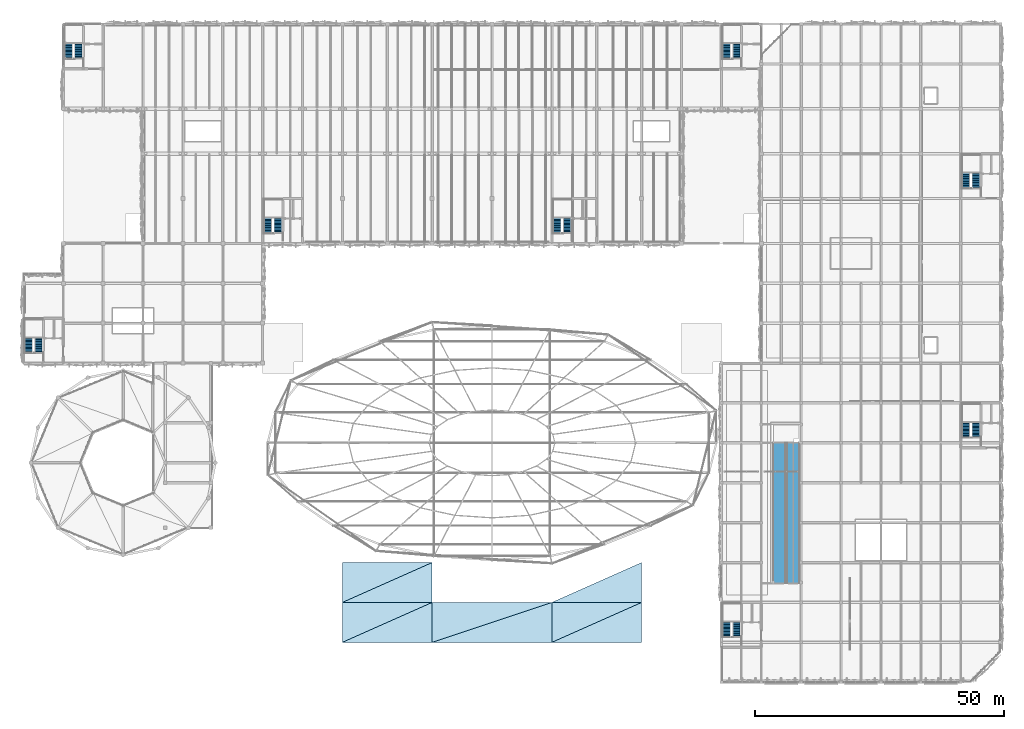
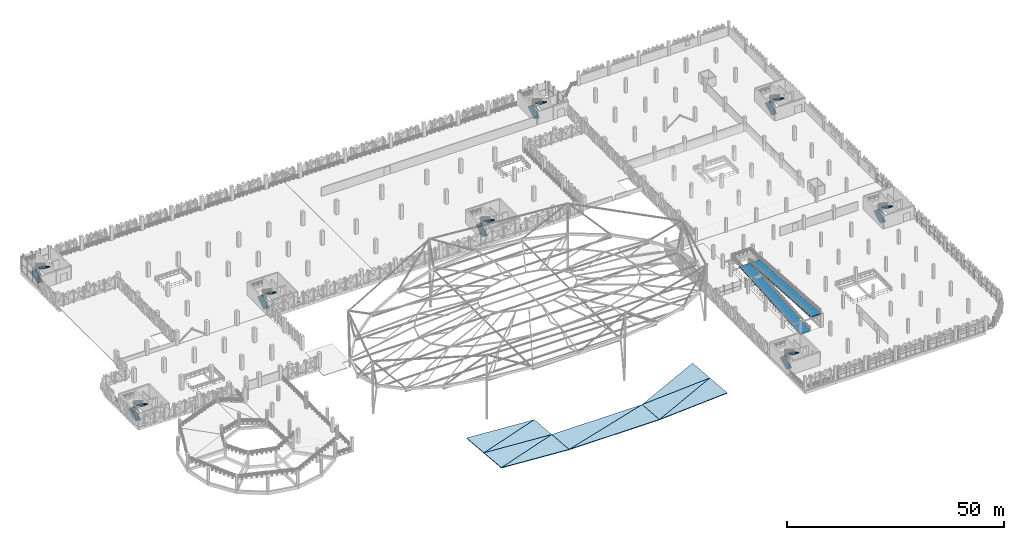
# One storey, part 57 of 96: 16 stair flights, 9 roofs, 2 ramp flights, 9 elements without a shape of their own.
"""IFC4 building model written with IfcOpenShell, lengths in metres."""

from ifc_helpers import new_model, si_unit, derived_unit, direction, frame, origin, place, context, subcontext, project, spatial, polyline, outline, extrude, polygons, material, layer, layer_set, type_object, element, aggregate, save


model = new_model("IFC4")

# Units and contexts
model_context = context("Model", 3, precision=1e-05, world=origin(), true_north=direction((0.0, 1.0)))
body_context = subcontext(model_context, "Body", "Model", "MODEL_VIEW")
ifc_project = project(units=[si_unit("LENGTHUNIT", "METRE"), si_unit("AREAUNIT", "SQUARE_METRE"), si_unit("VOLUMEUNIT", "CUBIC_METRE"), si_unit("PLANEANGLEUNIT", "RADIAN"), si_unit("MASSUNIT", "GRAM", prefix="KILO"), si_unit("THERMODYNAMICTEMPERATUREUNIT", "KELVIN"), derived_unit("THERMALTRANSMITTANCEUNIT", [(si_unit("POWERUNIT", "WATT"), 1), (si_unit("AREAUNIT", "SQUARE_METRE"), -1), (si_unit("THERMODYNAMICTEMPERATUREUNIT", "KELVIN"), -1)])], contexts=[model_context])

# Site, building, storey
site_placement = place(None, origin())
site = spatial("IfcSite", under=ifc_project, at=site_placement, CompositionType="ELEMENT")
building_placement = place(site_placement, origin())
building = spatial("IfcBuilding", under=site, at=building_placement, Name="Haiyu Intermodal Mobility Hub", CompositionType="ELEMENT")
storey_placement = place(building_placement, frame((0.0, 0.0, 9.5)))
storey = spatial("IfcBuildingStorey", under=building, at=storey_placement, Name="L02", CompositionType="ELEMENT", Elevation=9.5)

# Stair, stair flights
ifc_material_1 = material(Name="Concrete C40", Category="concrete")
stair_type_1 = type_object("IfcStairType", Name="STR-ST02", PredefinedType="HALF_TURN_STAIR", material=ifc_material_1)
stair_1_placement = place(storey_placement, origin())
stair_1 = element("IfcStair", 1, at=stair_1_placement, inside=storey, type_object=stair_type_1, Name="Exit Stair ST01 L02", PredefinedType="HALF_TURN_STAIR")
stair_flight_type_1 = type_object("IfcStairFlightType", Name="SFL-ST02", PredefinedType="STRAIGHT", material=ifc_material_1)
stair_flight_1_placement = place(storey_placement, frame((63.090087890625, 106.050048828125, 0.0), z_axis=(0.0, 0.0, 1.0), x_axis=(0.0, 1.0, 0.0)))
stair_flight_1 = element("IfcStairFlight", 2, at=stair_flight_1_placement, type_object=stair_flight_type_1, Name="Stair Flight STR-C5-L02-F1", NumberOfRisers=12, NumberOfTreads=11, PredefinedType="STRAIGHT", RiserHeight=0.1625, TreadLength=0.28, context=body_context, shape_type="SweptSolid", body=[
    extrude(outline(polyline([(0.0, 0.0), (0.0, 0.16259765625), (0.280029296875, 0.16259765625), (0.280029296875, 0.324951171875), (0.56005859375, 0.324951171875), (0.56005859375, 0.487548828125), (0.840087890625, 0.487548828125), (0.840087890625, 0.64990234375), (1.1201171875, 0.64990234375), (1.1201171875, 0.8125), (1.39990234375, 0.8125), (1.39990234375, 0.97509765625), (1.679931640625, 0.97509765625), (1.679931640625, 1.137451171875), (1.9599609375, 1.137451171875), (1.9599609375, 1.300048828125), (2.239990234375, 1.300048828125), (2.239990234375, 1.46240234375), (2.52001953125, 1.46240234375), (2.52001953125, 1.625), (2.800048828125, 1.625), (2.800048828125, 1.78759765625), (3.080078125, 1.78759765625), (3.080078125, 1.949951171875), (3.080078125, 1.579345703125), (0.3583984375, 0.0), (0.0, 0.0)])), frame((0.0, 0.72998046875, 0.0), z_axis=(0.0, -1.0, 0.0), x_axis=(1.0, 0.0, 0.0)), (0.0, 0.0, 1.0), 1.4599609375),
])
stair_flight_2_placement = place(storey_placement, frame((65.0, 109.159912109375, 1.949951171875), z_axis=(0.0, 0.0, 1.0), x_axis=(0.0, -1.0, 0.0)))
stair_flight_2 = element("IfcStairFlight", 3, at=stair_flight_2_placement, type_object=stair_flight_type_1, Name="Stair Flight STR-C5-L02-F2", NumberOfRisers=12, NumberOfTreads=11, PredefinedType="STRAIGHT", RiserHeight=0.1625, TreadLength=0.28091, context=body_context, shape_type="SweptSolid", body=[
    extrude(outline(polyline([(0.0, 0.0), (0.0, 0.16259765625), (0.281005859375, 0.16259765625), (0.281005859375, 0.324951171875), (0.561767578125, 0.324951171875), (0.561767578125, 0.487548828125), (0.8427734375, 0.487548828125), (0.8427734375, 0.64990234375), (1.12353515625, 0.64990234375), (1.12353515625, 0.8125), (1.404541015625, 0.8125), (1.404541015625, 0.97509765625), (1.685546875, 0.97509765625), (1.685546875, 1.137451171875), (1.96630859375, 1.137451171875), (1.96630859375, 1.300048828125), (2.247314453125, 1.300048828125), (2.247314453125, 1.46240234375), (2.528076171875, 1.46240234375), (2.528076171875, 1.625), (2.80908203125, 1.625), (2.80908203125, 1.78759765625), (3.090087890625, 1.78759765625), (3.090087890625, 1.949951171875), (3.090087890625, 1.57958984375), (0.359375, 0.0), (0.0, 0.0)])), frame((0.0, 0.72998046875, 0.0), z_axis=(0.0, -1.0, 0.0), x_axis=(1.0, 0.0, 0.0)), (0.0, 0.0, 1.0), 1.4599609375),
])
aggregate(stair_1, [stair_flight_1, stair_flight_2])

stair_2_placement = place(storey_placement, origin())
stair_2 = element("IfcStair", 4, at=stair_2_placement, inside=storey, type_object=stair_type_1, Name="Exit Stair ST01 L02", PredefinedType="HALF_TURN_STAIR")
stair_flight_3_placement = place(storey_placement, frame((121.090087890625, 106.050048828125, 0.0), z_axis=(0.0, 0.0, 1.0), x_axis=(0.0, 1.0, 0.0)))
stair_flight_3 = element("IfcStairFlight", 5, at=stair_flight_3_placement, type_object=stair_flight_type_1, Name="Stair Flight STR-C6-L02-F1", NumberOfRisers=12, NumberOfTreads=11, PredefinedType="STRAIGHT", RiserHeight=0.1625, TreadLength=0.28, context=body_context, shape_type="SweptSolid", body=[
    extrude(outline(polyline([(0.0, 0.0), (0.0, 0.16259765625), (0.280029296875, 0.16259765625), (0.280029296875, 0.324951171875), (0.56005859375, 0.324951171875), (0.56005859375, 0.487548828125), (0.840087890625, 0.487548828125), (0.840087890625, 0.64990234375), (1.1201171875, 0.64990234375), (1.1201171875, 0.8125), (1.39990234375, 0.8125), (1.39990234375, 0.97509765625), (1.679931640625, 0.97509765625), (1.679931640625, 1.137451171875), (1.9599609375, 1.137451171875), (1.9599609375, 1.300048828125), (2.239990234375, 1.300048828125), (2.239990234375, 1.46240234375), (2.52001953125, 1.46240234375), (2.52001953125, 1.625), (2.800048828125, 1.625), (2.800048828125, 1.78759765625), (3.080078125, 1.78759765625), (3.080078125, 1.949951171875), (3.080078125, 1.579345703125), (0.3583984375, 0.0), (0.0, 0.0)])), frame((0.0, 0.72998046875, 0.0), z_axis=(0.0, -1.0, 0.0), x_axis=(1.0, 0.0, 0.0)), (0.0, 0.0, 1.0), 1.4599609375),
])
stair_flight_4_placement = place(storey_placement, frame((123.0, 109.159912109375, 1.949951171875), z_axis=(0.0, 0.0, 1.0), x_axis=(0.0, -1.0, 0.0)))
stair_flight_4 = element("IfcStairFlight", 6, at=stair_flight_4_placement, type_object=stair_flight_type_1, Name="Stair Flight STR-C6-L02-F2", NumberOfRisers=12, NumberOfTreads=11, PredefinedType="STRAIGHT", RiserHeight=0.1625, TreadLength=0.28091, context=body_context, shape_type="SweptSolid", body=[
    extrude(outline(polyline([(0.0, 0.0), (0.0, 0.16259765625), (0.281005859375, 0.16259765625), (0.281005859375, 0.324951171875), (0.561767578125, 0.324951171875), (0.561767578125, 0.487548828125), (0.8427734375, 0.487548828125), (0.8427734375, 0.64990234375), (1.12353515625, 0.64990234375), (1.12353515625, 0.8125), (1.404541015625, 0.8125), (1.404541015625, 0.97509765625), (1.685546875, 0.97509765625), (1.685546875, 1.137451171875), (1.96630859375, 1.137451171875), (1.96630859375, 1.300048828125), (2.247314453125, 1.300048828125), (2.247314453125, 1.46240234375), (2.528076171875, 1.46240234375), (2.528076171875, 1.625), (2.80908203125, 1.625), (2.80908203125, 1.78759765625), (3.090087890625, 1.78759765625), (3.090087890625, 1.949951171875), (3.090087890625, 1.57958984375), (0.359375, 0.0), (0.0, 0.0)])), frame((0.0, 0.72998046875, 0.0), z_axis=(0.0, -1.0, 0.0), x_axis=(1.0, 0.0, 0.0)), (0.0, 0.0, 1.0), 1.4599609375),
])
aggregate(stair_2, [stair_flight_3, stair_flight_4])

stair_3_placement = place(storey_placement, origin())
stair_3 = element("IfcStair", 7, at=stair_3_placement, inside=storey, type_object=stair_type_1, Name="Exit Stair ST03 L02", PredefinedType="HALF_TURN_STAIR")
stair_flight_5_placement = place(storey_placement, frame((203.090087890625, 115.050048828125, 0.0), z_axis=(0.0, 0.0, 1.0), x_axis=(0.0, 1.0, 0.0)))
stair_flight_5 = element("IfcStairFlight", 8, at=stair_flight_5_placement, type_object=stair_flight_type_1, Name="Stair Flight STR-C10-L02-F1", NumberOfRisers=12, NumberOfTreads=11, PredefinedType="STRAIGHT", RiserHeight=0.1625, TreadLength=0.28, context=body_context, shape_type="SweptSolid", body=[
    extrude(outline(polyline([(0.0, 0.0), (0.0, 0.16259765625), (0.280029296875, 0.16259765625), (0.280029296875, 0.324951171875), (0.56005859375, 0.324951171875), (0.56005859375, 0.487548828125), (0.840087890625, 0.487548828125), (0.840087890625, 0.64990234375), (1.1201171875, 0.64990234375), (1.1201171875, 0.8125), (1.39990234375, 0.8125), (1.39990234375, 0.97509765625), (1.679931640625, 0.97509765625), (1.679931640625, 1.137451171875), (1.9599609375, 1.137451171875), (1.9599609375, 1.300048828125), (2.239990234375, 1.300048828125), (2.239990234375, 1.46240234375), (2.52001953125, 1.46240234375), (2.52001953125, 1.625), (2.800048828125, 1.625), (2.800048828125, 1.78759765625), (3.080078125, 1.78759765625), (3.080078125, 1.949951171875), (3.080078125, 1.579345703125), (0.3583984375, 0.0), (0.0, 0.0)])), frame((0.0, 0.72998046875, 0.0), z_axis=(0.0, -1.0, 0.0), x_axis=(1.0, 0.0, 0.0)), (0.0, 0.0, 1.0), 1.4599609375),
])
stair_flight_6_placement = place(storey_placement, frame((205.0, 118.159912109375, 1.949951171875), z_axis=(0.0, 0.0, 1.0), x_axis=(0.0, -1.0, 0.0)))
stair_flight_6 = element("IfcStairFlight", 9, at=stair_flight_6_placement, type_object=stair_flight_type_1, Name="Stair Flight STR-C10-L02-F2", NumberOfRisers=12, NumberOfTreads=11, PredefinedType="STRAIGHT", RiserHeight=0.1625, TreadLength=0.28091, context=body_context, shape_type="SweptSolid", body=[
    extrude(outline(polyline([(0.0, 0.0), (0.0, 0.16259765625), (0.281005859375, 0.16259765625), (0.281005859375, 0.324951171875), (0.561767578125, 0.324951171875), (0.561767578125, 0.487548828125), (0.8427734375, 0.487548828125), (0.8427734375, 0.64990234375), (1.12353515625, 0.64990234375), (1.12353515625, 0.8125), (1.404541015625, 0.8125), (1.404541015625, 0.97509765625), (1.685546875, 0.97509765625), (1.685546875, 1.137451171875), (1.96630859375, 1.137451171875), (1.96630859375, 1.300048828125), (2.247314453125, 1.300048828125), (2.247314453125, 1.46240234375), (2.528076171875, 1.46240234375), (2.528076171875, 1.625), (2.80908203125, 1.625), (2.80908203125, 1.78759765625), (3.090087890625, 1.78759765625), (3.090087890625, 1.949951171875), (3.090087890625, 1.57958984375), (0.359375, 0.0), (0.0, 0.0)])), frame((0.0, 0.72998046875, 0.0), z_axis=(0.0, -1.0, 0.0), x_axis=(1.0, 0.0, 0.0)), (0.0, 0.0, 1.0), 1.4599609375),
])
aggregate(stair_3, [stair_flight_5, stair_flight_6])

stair_type_2 = type_object("IfcStairType", Name="STR-ST03", PredefinedType="HALF_TURN_STAIR", material=ifc_material_1)
stair_4_placement = place(storey_placement, origin())
stair_4 = element("IfcStair", 10, at=stair_4_placement, inside=storey, type_object=stair_type_2, Name="Exit Stair ST02 L02", PredefinedType="HALF_TURN_STAIR")
stair_flight_type_2 = type_object("IfcStairFlightType", Name="SFL-ST03", PredefinedType="STRAIGHT", material=ifc_material_1)
stair_flight_7_placement = place(storey_placement, frame((23.090087890625, 141.050048828125, 0.0), z_axis=(0.0, 0.0, 1.0), x_axis=(0.0, 1.0, 0.0)))
stair_flight_7 = element("IfcStairFlight", 11, at=stair_flight_7_placement, type_object=stair_flight_type_2, Name="Stair Flight STR-C3-L02-F1", NumberOfRisers=12, NumberOfTreads=11, PredefinedType="STRAIGHT", RiserHeight=0.1625, TreadLength=0.28, context=body_context, shape_type="SweptSolid", body=[
    extrude(outline(polyline([(0.0, 0.0), (0.0, 0.16259765625), (0.280029296875, 0.16259765625), (0.280029296875, 0.324951171875), (0.56005859375, 0.324951171875), (0.56005859375, 0.487548828125), (0.840087890625, 0.487548828125), (0.840087890625, 0.64990234375), (1.1201171875, 0.64990234375), (1.1201171875, 0.8125), (1.39990234375, 0.8125), (1.39990234375, 0.97509765625), (1.679931640625, 0.97509765625), (1.679931640625, 1.137451171875), (1.9599609375, 1.137451171875), (1.9599609375, 1.300048828125), (2.239990234375, 1.300048828125), (2.239990234375, 1.46240234375), (2.52001953125, 1.46240234375), (2.52001953125, 1.625), (2.800048828125, 1.625), (2.800048828125, 1.78759765625), (3.080078125, 1.78759765625), (3.080078125, 1.949951171875), (3.080078125, 1.579345703125), (0.3583984375, 0.0), (0.0, 0.0)])), frame((0.0, 0.72998046875, 0.0), z_axis=(0.0, -1.0, 0.0), x_axis=(1.0, 0.0, 0.0)), (0.0, 0.0, 1.0), 1.4599609375),
])
stair_flight_8_placement = place(storey_placement, frame((25.0, 144.159912109375, 1.949951171875), z_axis=(0.0, 0.0, 1.0), x_axis=(0.0, -1.0, 0.0)))
stair_flight_8 = element("IfcStairFlight", 12, at=stair_flight_8_placement, type_object=stair_flight_type_2, Name="Stair Flight STR-C3-L02-F2", NumberOfRisers=12, NumberOfTreads=11, PredefinedType="STRAIGHT", RiserHeight=0.1625, TreadLength=0.28091, context=body_context, shape_type="SweptSolid", body=[
    extrude(outline(polyline([(0.0, 0.0), (0.0, 0.16259765625), (0.281005859375, 0.16259765625), (0.281005859375, 0.324951171875), (0.561767578125, 0.324951171875), (0.561767578125, 0.487548828125), (0.8427734375, 0.487548828125), (0.8427734375, 0.64990234375), (1.12353515625, 0.64990234375), (1.12353515625, 0.8125), (1.404541015625, 0.8125), (1.404541015625, 0.97509765625), (1.685546875, 0.97509765625), (1.685546875, 1.137451171875), (1.96630859375, 1.137451171875), (1.96630859375, 1.300048828125), (2.247314453125, 1.300048828125), (2.247314453125, 1.46240234375), (2.528076171875, 1.46240234375), (2.528076171875, 1.625), (2.80908203125, 1.625), (2.80908203125, 1.78759765625), (3.090087890625, 1.78759765625), (3.090087890625, 1.949951171875), (3.090087890625, 1.57958984375), (0.359375, 0.0), (0.0, 0.0)])), frame((0.0, 0.72998046875, 0.0), z_axis=(0.0, -1.0, 0.0), x_axis=(1.0, 0.0, 0.0)), (0.0, 0.0, 1.0), 1.4599609375),
])
aggregate(stair_4, [stair_flight_7, stair_flight_8])

stair_5_placement = place(storey_placement, origin())
stair_5 = element("IfcStair", 13, at=stair_5_placement, inside=storey, type_object=stair_type_2, Name="Exit Stair ST02 L02", PredefinedType="HALF_TURN_STAIR")
stair_flight_9_placement = place(storey_placement, frame((155.090087890625, 141.050048828125, 0.0), z_axis=(0.0, 0.0, 1.0), x_axis=(0.0, 1.0, 0.0)))
stair_flight_9 = element("IfcStairFlight", 14, at=stair_flight_9_placement, type_object=stair_flight_type_2, Name="Stair Flight STR-C4-L02-F1", NumberOfRisers=12, NumberOfTreads=11, PredefinedType="STRAIGHT", RiserHeight=0.1625, TreadLength=0.28, context=body_context, shape_type="SweptSolid", body=[
    extrude(outline(polyline([(0.0, 0.0), (0.0, 0.16259765625), (0.280029296875, 0.16259765625), (0.280029296875, 0.324951171875), (0.56005859375, 0.324951171875), (0.56005859375, 0.487548828125), (0.840087890625, 0.487548828125), (0.840087890625, 0.64990234375), (1.1201171875, 0.64990234375), (1.1201171875, 0.8125), (1.39990234375, 0.8125), (1.39990234375, 0.97509765625), (1.679931640625, 0.97509765625), (1.679931640625, 1.137451171875), (1.9599609375, 1.137451171875), (1.9599609375, 1.300048828125), (2.239990234375, 1.300048828125), (2.239990234375, 1.46240234375), (2.52001953125, 1.46240234375), (2.52001953125, 1.625), (2.800048828125, 1.625), (2.800048828125, 1.78759765625), (3.080078125, 1.78759765625), (3.080078125, 1.949951171875), (3.080078125, 1.579345703125), (0.3583984375, 0.0), (0.0, 0.0)])), frame((0.0, 0.72998046875, 0.0), z_axis=(0.0, -1.0, 0.0), x_axis=(1.0, 0.0, 0.0)), (0.0, 0.0, 1.0), 1.4599609375),
])
stair_flight_10_placement = place(storey_placement, frame((157.0, 144.159912109375, 1.949951171875), z_axis=(0.0, 0.0, 1.0), x_axis=(0.0, -1.0, 0.0)))
stair_flight_10 = element("IfcStairFlight", 15, at=stair_flight_10_placement, type_object=stair_flight_type_2, Name="Stair Flight STR-C4-L02-F2", NumberOfRisers=12, NumberOfTreads=11, PredefinedType="STRAIGHT", RiserHeight=0.1625, TreadLength=0.28091, context=body_context, shape_type="SweptSolid", body=[
    extrude(outline(polyline([(0.0, 0.0), (0.0, 0.16259765625), (0.281005859375, 0.16259765625), (0.281005859375, 0.324951171875), (0.561767578125, 0.324951171875), (0.561767578125, 0.487548828125), (0.8427734375, 0.487548828125), (0.8427734375, 0.64990234375), (1.12353515625, 0.64990234375), (1.12353515625, 0.8125), (1.404541015625, 0.8125), (1.404541015625, 0.97509765625), (1.685546875, 0.97509765625), (1.685546875, 1.137451171875), (1.96630859375, 1.137451171875), (1.96630859375, 1.300048828125), (2.247314453125, 1.300048828125), (2.247314453125, 1.46240234375), (2.528076171875, 1.46240234375), (2.528076171875, 1.625), (2.80908203125, 1.625), (2.80908203125, 1.78759765625), (3.090087890625, 1.78759765625), (3.090087890625, 1.949951171875), (3.090087890625, 1.57958984375), (0.359375, 0.0), (0.0, 0.0)])), frame((0.0, 0.72998046875, 0.0), z_axis=(0.0, -1.0, 0.0), x_axis=(1.0, 0.0, 0.0)), (0.0, 0.0, 1.0), 1.4599609375),
])
aggregate(stair_5, [stair_flight_9, stair_flight_10])

stair_6_placement = place(storey_placement, origin())
stair_6 = element("IfcStair", 16, at=stair_6_placement, inside=storey, type_object=stair_type_2, Name="Exit Stair ST02 L02", PredefinedType="HALF_TURN_STAIR")
stair_flight_11_placement = place(storey_placement, frame((15.090087890625, 82.050048828125, 0.0), z_axis=(0.0, 0.0, 1.0), x_axis=(0.0, 1.0, 0.0)))
stair_flight_11 = element("IfcStairFlight", 17, at=stair_flight_11_placement, type_object=stair_flight_type_2, Name="Stair Flight STR-C7-L02-F1", NumberOfRisers=12, NumberOfTreads=11, PredefinedType="STRAIGHT", RiserHeight=0.1625, TreadLength=0.28, context=body_context, shape_type="SweptSolid", body=[
    extrude(outline(polyline([(0.0, 0.0), (0.0, 0.16259765625), (0.280029296875, 0.16259765625), (0.280029296875, 0.324951171875), (0.56005859375, 0.324951171875), (0.56005859375, 0.487548828125), (0.840087890625, 0.487548828125), (0.840087890625, 0.64990234375), (1.1201171875, 0.64990234375), (1.1201171875, 0.8125), (1.39990234375, 0.8125), (1.39990234375, 0.97509765625), (1.679931640625, 0.97509765625), (1.679931640625, 1.137451171875), (1.9599609375, 1.137451171875), (1.9599609375, 1.300048828125), (2.239990234375, 1.300048828125), (2.239990234375, 1.46240234375), (2.52001953125, 1.46240234375), (2.52001953125, 1.625), (2.800048828125, 1.625), (2.800048828125, 1.78759765625), (3.080078125, 1.78759765625), (3.080078125, 1.949951171875), (3.080078125, 1.579345703125), (0.3583984375, 0.0), (0.0, 0.0)])), frame((0.0, 0.72998046875, 0.0), z_axis=(0.0, -1.0, 0.0), x_axis=(1.0, 0.0, 0.0)), (0.0, 0.0, 1.0), 1.4599609375),
])
stair_flight_12_placement = place(storey_placement, frame((17.0, 85.159912109375, 1.949951171875), z_axis=(0.0, 0.0, 1.0), x_axis=(0.0, -1.0, 0.0)))
stair_flight_12 = element("IfcStairFlight", 18, at=stair_flight_12_placement, type_object=stair_flight_type_2, Name="Stair Flight STR-C7-L02-F2", NumberOfRisers=12, NumberOfTreads=11, PredefinedType="STRAIGHT", RiserHeight=0.1625, TreadLength=0.28091, context=body_context, shape_type="SweptSolid", body=[
    extrude(outline(polyline([(0.0, 0.0), (0.0, 0.16259765625), (0.281005859375, 0.16259765625), (0.281005859375, 0.324951171875), (0.561767578125, 0.324951171875), (0.561767578125, 0.487548828125), (0.8427734375, 0.487548828125), (0.8427734375, 0.64990234375), (1.12353515625, 0.64990234375), (1.12353515625, 0.8125), (1.404541015625, 0.8125), (1.404541015625, 0.97509765625), (1.685546875, 0.97509765625), (1.685546875, 1.137451171875), (1.96630859375, 1.137451171875), (1.96630859375, 1.300048828125), (2.247314453125, 1.300048828125), (2.247314453125, 1.46240234375), (2.528076171875, 1.46240234375), (2.528076171875, 1.625), (2.80908203125, 1.625), (2.80908203125, 1.78759765625), (3.090087890625, 1.78759765625), (3.090087890625, 1.949951171875), (3.090087890625, 1.57958984375), (0.359375, 0.0), (0.0, 0.0)])), frame((0.0, 0.72998046875, 0.0), z_axis=(0.0, -1.0, 0.0), x_axis=(1.0, 0.0, 0.0)), (0.0, 0.0, 1.0), 1.4599609375),
])
aggregate(stair_6, [stair_flight_11, stair_flight_12])

stair_7_placement = place(storey_placement, origin())
stair_7 = element("IfcStair", 19, at=stair_7_placement, inside=storey, type_object=stair_type_2, Name="Exit Stair ST02 L02", PredefinedType="HALF_TURN_STAIR")
stair_flight_13_placement = place(storey_placement, frame((155.090087890625, 25.050048828125, 0.0), z_axis=(0.0, 0.0, 1.0), x_axis=(0.0, 1.0, 0.0)))
stair_flight_13 = element("IfcStairFlight", 20, at=stair_flight_13_placement, type_object=stair_flight_type_2, Name="Stair Flight STR-C8-L02-F1", NumberOfRisers=12, NumberOfTreads=11, PredefinedType="STRAIGHT", RiserHeight=0.1625, TreadLength=0.28, context=body_context, shape_type="SweptSolid", body=[
    extrude(outline(polyline([(0.0, 0.0), (0.0, 0.16259765625), (0.280029296875, 0.16259765625), (0.280029296875, 0.324951171875), (0.56005859375, 0.324951171875), (0.56005859375, 0.487548828125), (0.840087890625, 0.487548828125), (0.840087890625, 0.64990234375), (1.1201171875, 0.64990234375), (1.1201171875, 0.8125), (1.39990234375, 0.8125), (1.39990234375, 0.97509765625), (1.679931640625, 0.97509765625), (1.679931640625, 1.137451171875), (1.9599609375, 1.137451171875), (1.9599609375, 1.300048828125), (2.239990234375, 1.300048828125), (2.239990234375, 1.46240234375), (2.52001953125, 1.46240234375), (2.52001953125, 1.625), (2.800048828125, 1.625), (2.800048828125, 1.78759765625), (3.080078125, 1.78759765625), (3.080078125, 1.949951171875), (3.080078125, 1.579345703125), (0.3583984375, 0.0), (0.0, 0.0)])), frame((0.0, 0.72998046875, 0.0), z_axis=(0.0, -1.0, 0.0), x_axis=(1.0, 0.0, 0.0)), (0.0, 0.0, 1.0), 1.4599609375),
])
stair_flight_14_placement = place(storey_placement, frame((157.0, 28.159912109375, 1.949951171875), z_axis=(0.0, 0.0, 1.0), x_axis=(0.0, -1.0, 0.0)))
stair_flight_14 = element("IfcStairFlight", 21, at=stair_flight_14_placement, type_object=stair_flight_type_2, Name="Stair Flight STR-C8-L02-F2", NumberOfRisers=12, NumberOfTreads=11, PredefinedType="STRAIGHT", RiserHeight=0.1625, TreadLength=0.28091, context=body_context, shape_type="SweptSolid", body=[
    extrude(outline(polyline([(0.0, 0.0), (0.0, 0.16259765625), (0.281005859375, 0.16259765625), (0.281005859375, 0.324951171875), (0.561767578125, 0.324951171875), (0.561767578125, 0.487548828125), (0.8427734375, 0.487548828125), (0.8427734375, 0.64990234375), (1.12353515625, 0.64990234375), (1.12353515625, 0.8125), (1.404541015625, 0.8125), (1.404541015625, 0.97509765625), (1.685546875, 0.97509765625), (1.685546875, 1.137451171875), (1.96630859375, 1.137451171875), (1.96630859375, 1.300048828125), (2.247314453125, 1.300048828125), (2.247314453125, 1.46240234375), (2.528076171875, 1.46240234375), (2.528076171875, 1.625), (2.80908203125, 1.625), (2.80908203125, 1.78759765625), (3.090087890625, 1.78759765625), (3.090087890625, 1.949951171875), (3.090087890625, 1.57958984375), (0.359375, 0.0), (0.0, 0.0)])), frame((0.0, 0.72998046875, 0.0), z_axis=(0.0, -1.0, 0.0), x_axis=(1.0, 0.0, 0.0)), (0.0, 0.0, 1.0), 1.4599609375),
])
aggregate(stair_7, [stair_flight_13, stair_flight_14])

stair_type_3 = type_object("IfcStairType", Name="STR-ST05", PredefinedType="HALF_TURN_STAIR", material=ifc_material_1)
stair_8_placement = place(storey_placement, origin())
stair_8 = element("IfcStair", 22, at=stair_8_placement, inside=storey, type_object=stair_type_3, Name="Exit Stair ST03 L02", PredefinedType="HALF_TURN_STAIR")
stair_flight_type_3 = type_object("IfcStairFlightType", Name="SFL-ST05", PredefinedType="STRAIGHT", material=ifc_material_1)
stair_flight_15_placement = place(storey_placement, frame((203.090087890625, 65.050048828125, 0.0), z_axis=(0.0, 0.0, 1.0), x_axis=(0.0, 1.0, 0.0)))
stair_flight_15 = element("IfcStairFlight", 23, at=stair_flight_15_placement, type_object=stair_flight_type_3, Name="Stair Flight STR-C9-L02-F1", NumberOfRisers=12, NumberOfTreads=11, PredefinedType="STRAIGHT", RiserHeight=0.1625, TreadLength=0.28, context=body_context, shape_type="SweptSolid", body=[
    extrude(outline(polyline([(0.0, 0.0), (0.0, 0.16259765625), (0.280029296875, 0.16259765625), (0.280029296875, 0.324951171875), (0.56005859375, 0.324951171875), (0.56005859375, 0.487548828125), (0.840087890625, 0.487548828125), (0.840087890625, 0.64990234375), (1.1201171875, 0.64990234375), (1.1201171875, 0.8125), (1.39990234375, 0.8125), (1.39990234375, 0.97509765625), (1.679931640625, 0.97509765625), (1.679931640625, 1.137451171875), (1.9599609375, 1.137451171875), (1.9599609375, 1.300048828125), (2.239990234375, 1.300048828125), (2.239990234375, 1.46240234375), (2.52001953125, 1.46240234375), (2.52001953125, 1.625), (2.800048828125, 1.625), (2.800048828125, 1.78759765625), (3.080078125, 1.78759765625), (3.080078125, 1.949951171875), (3.080078125, 1.579345703125), (0.3583984375, 0.0), (0.0, 0.0)])), frame((0.0, 0.72998046875, 0.0), z_axis=(0.0, -1.0, 0.0), x_axis=(1.0, 0.0, 0.0)), (0.0, 0.0, 1.0), 1.4599609375),
])
stair_flight_16_placement = place(storey_placement, frame((205.0, 68.159912109375, 1.949951171875), z_axis=(0.0, 0.0, 1.0), x_axis=(0.0, -1.0, 0.0)))
stair_flight_16 = element("IfcStairFlight", 24, at=stair_flight_16_placement, type_object=stair_flight_type_3, Name="Stair Flight STR-C9-L02-F2", NumberOfRisers=12, NumberOfTreads=11, PredefinedType="STRAIGHT", RiserHeight=0.1625, TreadLength=0.28091, context=body_context, shape_type="SweptSolid", body=[
    extrude(outline(polyline([(0.0, 0.0), (0.0, 0.16259765625), (0.281005859375, 0.16259765625), (0.281005859375, 0.324951171875), (0.561767578125, 0.324951171875), (0.561767578125, 0.487548828125), (0.8427734375, 0.487548828125), (0.8427734375, 0.64990234375), (1.12353515625, 0.64990234375), (1.12353515625, 0.8125), (1.404541015625, 0.8125), (1.404541015625, 0.97509765625), (1.685546875, 0.97509765625), (1.685546875, 1.137451171875), (1.96630859375, 1.137451171875), (1.96630859375, 1.300048828125), (2.247314453125, 1.300048828125), (2.247314453125, 1.46240234375), (2.528076171875, 1.46240234375), (2.528076171875, 1.625), (2.80908203125, 1.625), (2.80908203125, 1.78759765625), (3.090087890625, 1.78759765625), (3.090087890625, 1.949951171875), (3.090087890625, 1.57958984375), (0.359375, 0.0), (0.0, 0.0)])), frame((0.0, 0.72998046875, 0.0), z_axis=(0.0, -1.0, 0.0), x_axis=(1.0, 0.0, 0.0)), (0.0, 0.0, 1.0), 1.4599609375),
])
aggregate(stair_8, [stair_flight_15, stair_flight_16])

# Ramp, ramp flights
ifc_layer_1 = layer(ifc_material_1, 0.260009765625)
ifc_layer_set_1 = layer_set([ifc_layer_1], Name="Concrete C40")
ramp_type = type_object("IfcRampType", Name="RMP-RM02", PredefinedType="STRAIGHT_RUN_RAMP", material=ifc_layer_set_1)
ramp_placement = place(storey_placement, origin())
ramp = element("IfcRamp", 25, at=ramp_placement, inside=storey, type_object=ramp_type, Name="Bicycle Ramp L02", PredefinedType="STRAIGHT_RUN_RAMP")
ifc_layer_2 = layer(ifc_material_1, 0.260009765625)
ifc_layer_set_2 = layer_set([ifc_layer_2], Name="Concrete C40")
ramp_flight_type = type_object("IfcRampFlightType", Name="RFL-RM02", PredefinedType="STRAIGHT", material=ifc_layer_set_2)
ramp_flight_1_placement = place(storey_placement, origin())
ramp_flight_1 = element("IfcRampFlight", 26, at=ramp_flight_1_placement, type_object=ramp_flight_type, Name="RMP-BIKE-L02-F1", PredefinedType="STRAIGHT", context=body_context, shape_type="Tessellation", body=[
    polygons([(164.300048828125, 35.89990234375, -0.219970703125), (166.89990234375, 35.89990234375, -0.219970703125), (166.89990234375, 64.0, 1.72998046875), (164.300048828125, 64.0, 1.72998046875), (164.300048828125, 35.89990234375, 0.0), (166.89990234375, 35.89990234375, 0.0), (166.89990234375, 64.0, 1.949951171875), (164.300048828125, 64.0, 1.949951171875)], [[[4, 3, 2, 1]], [[5, 6, 7, 8]], [[1, 2, 6, 5]], [[2, 3, 7, 6]], [[3, 4, 8, 7]], [[4, 1, 5, 8]]], closed=True),
])
ramp_flight_2_placement = place(storey_placement, origin())
ramp_flight_2 = element("IfcRampFlight", 27, at=ramp_flight_2_placement, type_object=ramp_flight_type, Name="RMP-BIKE-L02-F2", PredefinedType="STRAIGHT", context=body_context, shape_type="Tessellation", body=[
    polygons([(167.10009765625, 64.0, 1.72998046875), (169.699951171875, 64.0, 1.72998046875), (169.699951171875, 35.85009765625, 3.679931640625), (167.10009765625, 35.85009765625, 3.679931640625), (167.10009765625, 64.0, 1.949951171875), (169.699951171875, 64.0, 1.949951171875), (169.699951171875, 35.85009765625, 3.89990234375), (167.10009765625, 35.85009765625, 3.89990234375)], [[[4, 3, 2, 1]], [[5, 6, 7, 8]], [[1, 2, 6, 5]], [[2, 3, 7, 6]], [[3, 4, 8, 7]], [[4, 1, 5, 8]]], closed=True),
])
aggregate(ramp, [ramp_flight_1, ramp_flight_2])

# Roofs
ifc_material_2 = material(Name="Steel Q355C", Category="steel")
ifc_layer_3 = layer(ifc_material_2, 0.179931640625)
ifc_layer_set_3 = layer_set([ifc_layer_3], Name="Steel Q355C")
roof_type = type_object("IfcRoofType", Name="ROF-RF04", PredefinedType="FLAT_ROOF", material=ifc_layer_set_3)
roof_1_placement = place(storey_placement, origin())
element("IfcRoof", 28, at=roof_1_placement, inside=storey, type_object=roof_type, Name="Sculptural Gull-Wing Forecourt Canopy Panel 01", PredefinedType="FLAT_ROOF", context=body_context, shape_type="Tessellation", body=[
    polygons([(78.0, 24.0, -0.25), (96.0, 24.0, -1.419921875), (96.0, 32.0, -2.094970703125), (78.0, 24.0, -0.070068359375), (96.0, 24.0, -1.239990234375), (96.0, 32.0, -1.9150390625)], [[[3, 2, 1]], [[4, 5, 6]], [[1, 2, 5, 4]], [[2, 3, 6, 5]], [[3, 1, 4, 6]]], closed=True),
])
roof_2_placement = place(storey_placement, origin())
element("IfcRoof", 29, at=roof_2_placement, inside=storey, type_object=roof_type, Name="Sculptural Gull-Wing Forecourt Canopy Panel 02", PredefinedType="FLAT_ROOF", context=body_context, shape_type="Tessellation", body=[
    polygons([(78.0, 24.0, -0.25), (96.0, 32.0, -2.094970703125), (78.0, 32.0, -0.925048828125), (78.0, 24.0, -0.070068359375), (96.0, 32.0, -1.9150390625), (78.0, 32.0, -0.7451171875)], [[[3, 2, 1]], [[4, 5, 6]], [[1, 2, 5, 4]], [[2, 3, 6, 5]], [[3, 1, 4, 6]]], closed=True),
])
roof_3_placement = place(storey_placement, origin())
element("IfcRoof", 30, at=roof_3_placement, inside=storey, type_object=roof_type, Name="Sculptural Gull-Wing Forecourt Canopy Panel 03", PredefinedType="FLAT_ROOF", context=body_context, shape_type="Tessellation", body=[
    polygons([(78.0, 32.0, -0.925048828125), (96.0, 32.0, -2.094970703125), (96.0, 40.0, -2.77001953125), (78.0, 32.0, -0.7451171875), (96.0, 32.0, -1.9150390625), (96.0, 40.0, -2.590087890625)], [[[3, 2, 1]], [[4, 5, 6]], [[1, 2, 5, 4]], [[2, 3, 6, 5]], [[3, 1, 4, 6]]], closed=True),
])
roof_4_placement = place(storey_placement, origin())
element("IfcRoof", 31, at=roof_4_placement, inside=storey, type_object=roof_type, Name="Sculptural Gull-Wing Forecourt Canopy Panel 04", PredefinedType="FLAT_ROOF", context=body_context, shape_type="Tessellation", body=[
    polygons([(78.0, 32.0, -0.925048828125), (96.0, 40.0, -2.77001953125), (78.0, 40.0, -1.60009765625), (78.0, 32.0, -0.7451171875), (96.0, 40.0, -2.590087890625), (78.0, 40.0, -1.419921875)], [[[3, 2, 1]], [[4, 5, 6]], [[1, 2, 5, 4]], [[2, 3, 6, 5]], [[3, 1, 4, 6]]], closed=True),
])
roof_5_placement = place(storey_placement, origin())
element("IfcRoof", 32, at=roof_5_placement, inside=storey, type_object=roof_type, Name="Sculptural Gull-Wing Forecourt Canopy Panel 05", PredefinedType="FLAT_ROOF", context=body_context, shape_type="Tessellation", body=[
    polygons([(96.0, 24.0, -1.419921875), (120.0, 24.0, -1.419921875), (120.0, 32.0, -2.094970703125), (96.0, 24.0, -1.239990234375), (120.0, 24.0, -1.239990234375), (120.0, 32.0, -1.9150390625)], [[[3, 2, 1]], [[4, 5, 6]], [[1, 2, 5, 4]], [[2, 3, 6, 5]], [[3, 1, 4, 6]]], closed=True),
])
roof_6_placement = place(storey_placement, origin())
element("IfcRoof", 33, at=roof_6_placement, inside=storey, type_object=roof_type, Name="Sculptural Gull-Wing Forecourt Canopy Panel 06", PredefinedType="FLAT_ROOF", context=body_context, shape_type="Tessellation", body=[
    polygons([(96.0, 24.0, -1.419921875), (120.0, 32.0, -2.094970703125), (96.0, 32.0, -2.094970703125), (96.0, 24.0, -1.239990234375), (120.0, 32.0, -1.9150390625), (96.0, 32.0, -1.9150390625)], [[[3, 2, 1]], [[4, 5, 6]], [[1, 2, 5, 4]], [[2, 3, 6, 5]], [[3, 1, 4, 6]]], closed=True),
])
roof_7_placement = place(storey_placement, origin())
element("IfcRoof", 34, at=roof_7_placement, inside=storey, type_object=roof_type, Name="Sculptural Gull-Wing Forecourt Canopy Panel 09", PredefinedType="FLAT_ROOF", context=body_context, shape_type="Tessellation", body=[
    polygons([(120.0, 24.0, -1.419921875), (138.0, 24.0, -0.25), (138.0, 32.0, -0.925048828125), (120.0, 24.0, -1.239990234375), (138.0, 24.0, -0.070068359375), (138.0, 32.0, -0.7451171875)], [[[3, 2, 1]], [[4, 5, 6]], [[1, 2, 5, 4]], [[2, 3, 6, 5]], [[3, 1, 4, 6]]], closed=True),
])
roof_8_placement = place(storey_placement, origin())
element("IfcRoof", 35, at=roof_8_placement, inside=storey, type_object=roof_type, Name="Sculptural Gull-Wing Forecourt Canopy Panel 10", PredefinedType="FLAT_ROOF", context=body_context, shape_type="Tessellation", body=[
    polygons([(120.0, 24.0, -1.419921875), (138.0, 32.0, -0.925048828125), (120.0, 32.0, -2.094970703125), (120.0, 24.0, -1.239990234375), (138.0, 32.0, -0.7451171875), (120.0, 32.0, -1.9150390625)], [[[3, 2, 1]], [[4, 5, 6]], [[1, 2, 5, 4]], [[2, 3, 6, 5]], [[3, 1, 4, 6]]], closed=True),
])
roof_9_placement = place(storey_placement, origin())
element("IfcRoof", 36, at=roof_9_placement, inside=storey, type_object=roof_type, Name="Sculptural Gull-Wing Forecourt Canopy Panel 11", PredefinedType="FLAT_ROOF", context=body_context, shape_type="Tessellation", body=[
    polygons([(120.0, 32.0, -2.094970703125), (138.0, 32.0, -0.925048828125), (138.0, 40.0, -1.60009765625), (120.0, 32.0, -1.9150390625), (138.0, 32.0, -0.7451171875), (138.0, 40.0, -1.419921875)], [[[3, 2, 1]], [[4, 5, 6]], [[1, 2, 5, 4]], [[2, 3, 6, 5]], [[3, 1, 4, 6]]], closed=True),
])

save(model, "model.ifc")
